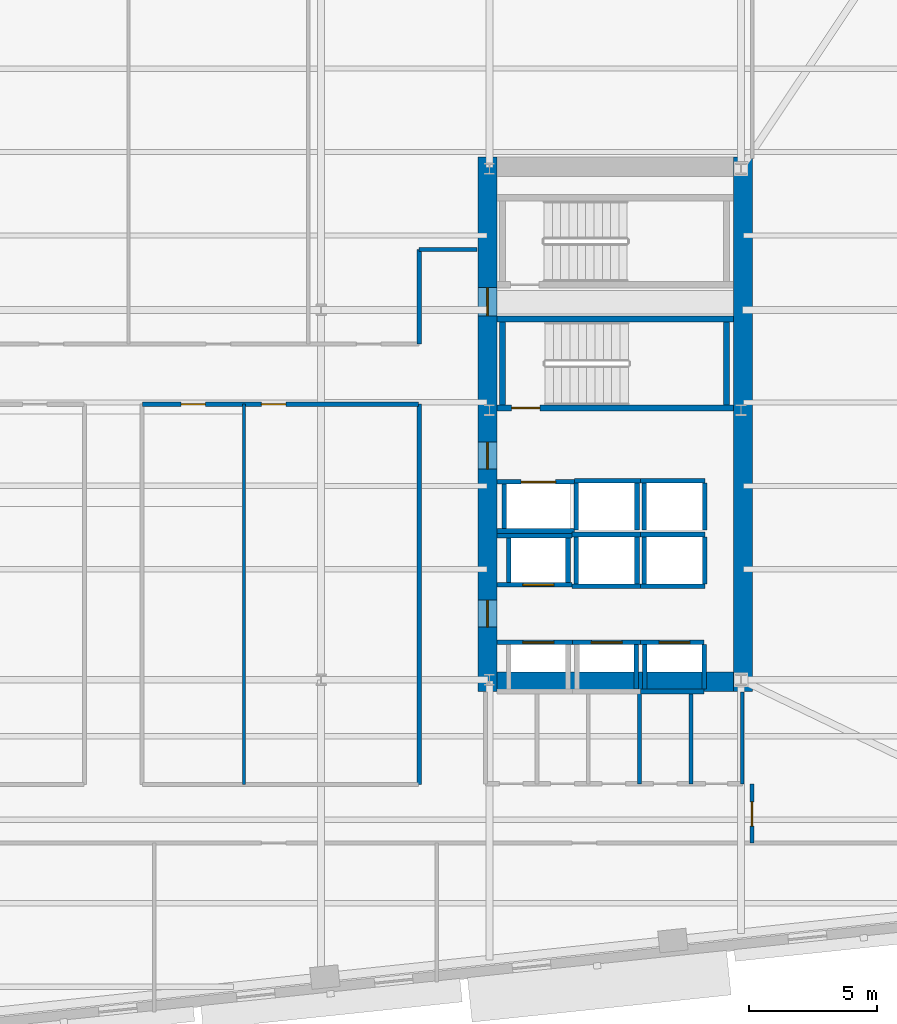
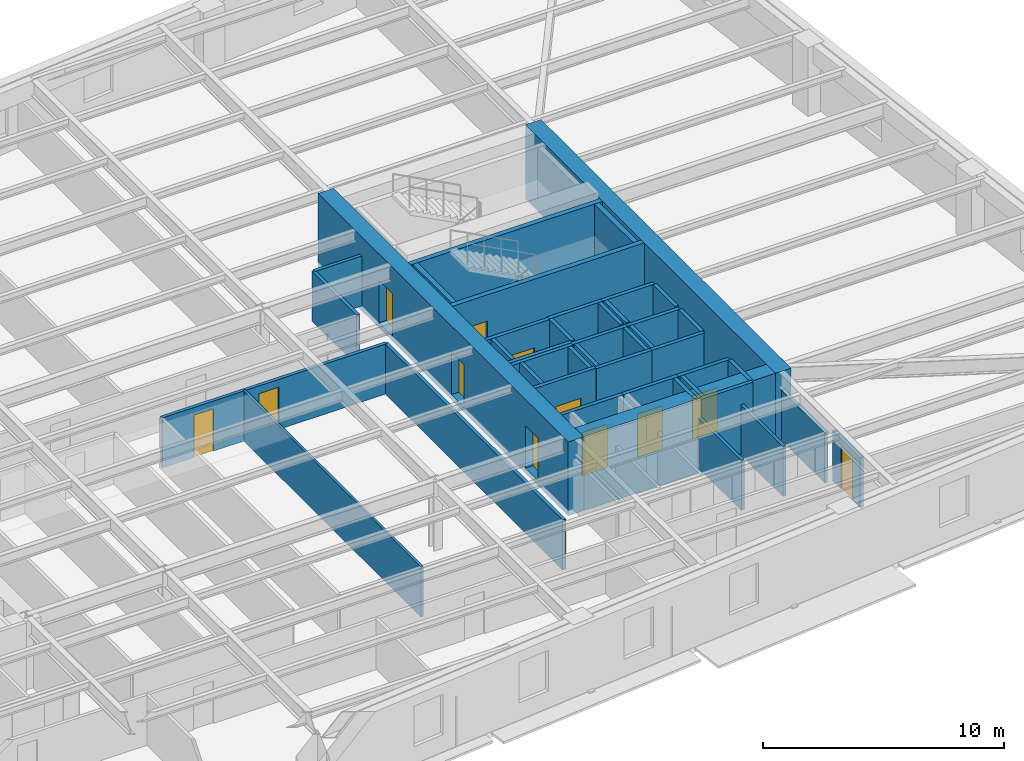
# One storey, part 6 of 13: 44 walls, 12 doors, 12 openings.
"""IFC4 building model written with IfcOpenShell, lengths in metres."""

from ifc_helpers import new_model, si_unit, direction, frame, frame_2d, origin, place, context, subcontext, project, spatial, rectangle, extrude, material, layer, layer_set, type_object, element, fill, save


model = new_model("IFC4")

# Units and contexts
model_context = context("Model", 3, precision=1e-05, world=origin(), true_north=direction((0.0, 1.0)))
body_context = subcontext(model_context, "Body", "Model", "MODEL_VIEW")
ifc_project = project(units=[si_unit("LENGTHUNIT", "METRE"), si_unit("AREAUNIT", "SQUARE_METRE"), si_unit("VOLUMEUNIT", "CUBIC_METRE"), si_unit("PLANEANGLEUNIT", "RADIAN"), si_unit("MASSUNIT", "GRAM", prefix="KILO")], contexts=[model_context])

# Site, building, storey
site_placement = place(None, origin())
site = spatial("IfcSite", under=ifc_project, at=site_placement, CompositionType="ELEMENT")
building_placement = place(site_placement, origin())
building = spatial("IfcBuilding", under=site, at=building_placement, Name="Kolvaren Arena Tower", CompositionType="ELEMENT")
storey_placement = place(building_placement, frame((0.0, 0.0, 114.699951171875)))
storey = spatial("IfcBuildingStorey", under=building, at=storey_placement, Name="L26", CompositionType="ELEMENT", Elevation=114.699951171875)

# Wall, openings, doors
ifc_material_1 = material(Name="Gypsum board acoustic assembly", Category="gypsum")
ifc_layer_1 = layer(ifc_material_1, 0.159912109375)
ifc_layer_set_1 = layer_set([ifc_layer_1], Name="Gypsum board acoustic assembly")
wall_type_1 = type_object("IfcWallType", Name="CORR-160", PredefinedType="PARTITIONING", material=ifc_layer_set_1)
wall_1_placement = place(storey_placement, frame((37.0400390625, 30.179931640625, 0.0), z_axis=(0.0, 0.0, 1.0), x_axis=(1.0, 0.0, 0.0)))
wall_1 = element("IfcWall", 1, at=wall_1_placement, inside=storey, type_object=wall_type_1, Name="Interior Partition Wall (L26)", PredefinedType="PARTITIONING", context=body_context, shape_type="SweptSolid", body=[
    extrude(rectangle(XDim=10.760009765625, YDim=0.159912109375, at=frame_2d((5.3798828125, 0.0))), origin(), (0.0, 0.0, 1.0), 2.5400390625),
])
opening_1_placement = place(wall_1_placement, frame((1.5048828125, 0.0, 0.0)))
opening_1 = element("IfcOpeningElement", 2, at=opening_1_placement, cuts=wall_1, Name="Opening D05", PredefinedType="OPENING", context=body_context, shape_type="SweptSolid", body=[
    extrude(rectangle(XDim=0.949951171875, YDim=2.14990234375, at=frame_2d((0.47509765625, 1.074951171875))), frame((0.0, 0.08984375, 0.0), z_axis=(0.0, -1.0, 0.0), x_axis=(1.0, 0.0, 0.0)), (0.0, 0.0, 1.0), 0.179931640625),
])
opening_2_placement = place(wall_1_placement, frame((4.635009765625, 0.0, 0.0)))
opening_2 = element("IfcOpeningElement", 3, at=opening_2_placement, cuts=wall_1, Name="Opening D05", PredefinedType="OPENING", context=body_context, shape_type="SweptSolid", body=[
    extrude(rectangle(XDim=0.949951171875, YDim=2.14990234375, at=frame_2d((0.47509765625, 1.074951171875))), frame((0.0, 0.08984375, 0.0), z_axis=(0.0, -1.0, 0.0), x_axis=(1.0, 0.0, 0.0)), (0.0, 0.0, 1.0), 0.179931640625),
])
ifc_material_2 = material(Name="Solid-core oak acoustic office door", Category="wood")
door_type_1 = type_object("IfcDoorType", Name="DOOR-OF-095", OperationType="NOTDEFINED", PredefinedType="DOOR", material=ifc_material_2)
door_1_placement = place(opening_1_placement, origin())
door_1 = element("IfcDoor", 4, at=door_1_placement, inside=storey, type_object=door_type_1, Name="Breakout Pantry and Kitchen Door (L26)", OperationType="SINGLE_SWING_RIGHT", OverallHeight=2.14990234375, OverallWidth=0.949951171875, PredefinedType="DOOR", context=body_context, shape_type="SweptSolid", body=[
    extrude(rectangle(XDim=0.949951171875, YDim=2.14990234375, at=frame_2d((0.47509765625, 1.074951171875))), frame((0.0, 0.02490234375, 0.0), z_axis=(0.0, -1.0, 0.0), x_axis=(1.0, 0.0, 0.0)), (0.0, 0.0, 1.0), 0.050048828125),
])
fill(opening_1, door_1)
door_2_placement = place(opening_2_placement, origin())
door_2 = element("IfcDoor", 5, at=door_2_placement, inside=storey, type_object=door_type_1, Name="Wellness Room Door (L26)", OperationType="SINGLE_SWING_LEFT", OverallHeight=2.14990234375, OverallWidth=0.949951171875, PredefinedType="DOOR", context=body_context, shape_type="SweptSolid", body=[
    extrude(rectangle(XDim=0.949951171875, YDim=2.14990234375, at=frame_2d((0.47509765625, 1.074951171875))), frame((0.0, 0.02490234375, 0.0), z_axis=(0.0, -1.0, 0.0), x_axis=(1.0, 0.0, 0.0)), (0.0, 0.0, 1.0), 0.050048828125),
])
fill(opening_2, door_2)

# Walls
wall_2_placement = place(storey_placement, frame((47.820068359375, 15.3798828125, 0.0), z_axis=(0.0, 0.0, 1.0), x_axis=(0.0, 1.0, 0.0)))
element("IfcWall", 6, at=wall_2_placement, inside=storey, type_object=wall_type_1, Name="Interior Partition Wall (L26)", PredefinedType="PARTITIONING", context=body_context, shape_type="SweptSolid", body=[
    extrude(rectangle(XDim=14.800048828125, YDim=0.159912109375, at=frame_2d((7.39990234375, 0.0))), origin(), (0.0, 0.0, 1.0), 2.5400390625),
])
wall_3_placement = place(storey_placement, frame((47.820068359375, 32.52001953125, 0.0), z_axis=(0.0, 0.0, 1.0), x_axis=(0.0, 1.0, 0.0)))
element("IfcWall", 7, at=wall_3_placement, inside=storey, type_object=wall_type_1, Name="Interior Partition Wall (L26)", PredefinedType="PARTITIONING", context=body_context, shape_type="SweptSolid", body=[
    extrude(rectangle(XDim=3.679931640625, YDim=0.159912109375, at=frame_2d((1.83984375, 0.0))), origin(), (0.0, 0.0, 1.0), 2.5400390625),
])
wall_4_placement = place(storey_placement, frame((47.820068359375, 36.199951171875, 0.0), z_axis=(0.0, 0.0, 1.0), x_axis=(1.0, 0.0, 0.0)))
element("IfcWall", 8, at=wall_4_placement, inside=storey, type_object=wall_type_1, Name="Interior Partition Wall (L26)", PredefinedType="PARTITIONING", context=body_context, shape_type="SweptSolid", body=[
    extrude(rectangle(XDim=2.260009765625, YDim=0.159912109375, at=frame_2d((1.1298828125, 0.0))), origin(), (0.0, 0.0, 1.0), 2.5400390625),
])

# Wall, opening, door
wall_5_placement = place(storey_placement, frame((60.780029296875, 13.10009765625, 0.0), z_axis=(0.0, 0.0, 1.0), x_axis=(0.0, 1.0, 0.0)))
wall_5 = element("IfcWall", 9, at=wall_5_placement, inside=storey, type_object=wall_type_1, Name="Interior Partition Wall (L26)", PredefinedType="PARTITIONING", context=body_context, shape_type="SweptSolid", body=[
    extrude(rectangle(XDim=2.2998046875, YDim=0.159912109375, at=frame_2d((1.14990234375, 0.0))), origin(), (0.0, 0.0, 1.0), 2.5400390625),
])
opening_3_placement = place(wall_5_placement, frame((0.64990234375, 0.0, 0.0)))
opening_3 = element("IfcOpeningElement", 10, at=opening_3_placement, cuts=wall_5, Name="Opening D05", PredefinedType="OPENING", context=body_context, shape_type="SweptSolid", body=[
    extrude(rectangle(XDim=0.949951171875, YDim=2.14990234375, at=frame_2d((0.47509765625, 1.074951171875))), frame((0.0, 0.08984375, 0.0), z_axis=(0.0, -1.0, 0.0), x_axis=(1.0, 0.0, 0.0)), (0.0, 0.0, 1.0), 0.179931640625),
])
door_3_placement = place(opening_3_placement, origin())
door_3 = element("IfcDoor", 11, at=door_3_placement, inside=storey, type_object=door_type_1, Name="East Wing Studio Door (L26)", OperationType="SINGLE_SWING_RIGHT", OverallHeight=2.14990234375, OverallWidth=0.949951171875, PredefinedType="DOOR", context=body_context, shape_type="SweptSolid", body=[
    extrude(rectangle(XDim=0.949951171875, YDim=2.14990234375, at=frame_2d((0.47509765625, 1.074951171875))), frame((0.0, 0.02490234375, 0.0), z_axis=(0.0, -1.0, 0.0), x_axis=(1.0, 0.0, 0.0)), (0.0, 0.0, 1.0), 0.050048828125),
])
fill(opening_3, door_3)

# Wall, openings, doors
ifc_material_3 = material(Name="Concrete 70 MPa", Category="concrete")
ifc_layer_2 = layer(ifc_material_3, 0.75)
ifc_layer_set_2 = layer_set([ifc_layer_2], Name="Concrete 70 MPa")
wall_type_2 = type_object("IfcWallType", Name="CWALL-750", PredefinedType="SHEAR", material=ifc_layer_set_2)
wall_6_placement = place(storey_placement, frame((50.47509765625, 19.0, -0.27001953125), z_axis=(0.0, 0.0, 1.0), x_axis=(0.0, 1.0, 0.0)))
wall_6 = element("IfcWall", 12, at=wall_6_placement, inside=storey, type_object=wall_type_2, Name="Core Shear Wall EC-WEST (L26)", PredefinedType="SHEAR", context=body_context, shape_type="SweptSolid", body=[
    extrude(rectangle(XDim=20.800048828125, YDim=0.75, at=frame_2d((10.39990234375, 0.0))), origin(), (0.0, 0.0, 1.0), 3.75),
])
opening_4_placement = place(wall_6_placement, frame((2.5, 0.0, 0.27001953125)))
opening_4 = element("IfcOpeningElement", 13, at=opening_4_placement, cuts=wall_6, Name="Opening D04", PredefinedType="OPENING", context=body_context, shape_type="SweptSolid", body=[
    extrude(rectangle(XDim=1.050048828125, YDim=2.14990234375, at=frame_2d((0.52490234375, 1.074951171875))), frame((0.0, 0.385009765625, 0.0), z_axis=(0.0, -1.0, 0.0), x_axis=(1.0, 0.0, 0.0)), (0.0, 0.0, 1.0), 0.77001953125),
])
opening_5_placement = place(wall_6_placement, frame((8.64990234375, 0.0, 0.27001953125)))
opening_5 = element("IfcOpeningElement", 14, at=opening_5_placement, cuts=wall_6, Name="Opening D04", PredefinedType="OPENING", context=body_context, shape_type="SweptSolid", body=[
    extrude(rectangle(XDim=1.050048828125, YDim=2.14990234375, at=frame_2d((0.52490234375, 1.074951171875))), frame((0.0, 0.385009765625, 0.0), z_axis=(0.0, -1.0, 0.0), x_axis=(1.0, 0.0, 0.0)), (0.0, 0.0, 1.0), 0.77001953125),
])
opening_6_placement = place(wall_6_placement, frame((14.6201171875, 0.0, 0.27001953125)))
opening_6 = element("IfcOpeningElement", 15, at=opening_6_placement, cuts=wall_6, Name="Opening D03", PredefinedType="OPENING", context=body_context, shape_type="SweptSolid", body=[
    extrude(rectangle(XDim=1.10009765625, YDim=2.14990234375, at=frame_2d((0.550048828125, 1.074951171875))), frame((0.0, 0.385009765625, 0.0), z_axis=(0.0, -1.0, 0.0), x_axis=(1.0, 0.0, 0.0)), (0.0, 0.0, 1.0), 0.77001953125),
])
ifc_material_4 = material(Name="Fire-rated steel lobby door", Category="steel")
door_type_2 = type_object("IfcDoorType", Name="DOOR-FF-105", OperationType="NOTDEFINED", PredefinedType="DOOR", material=ifc_material_4)
door_4_placement = place(opening_4_placement, origin())
door_4 = element("IfcDoor", 16, at=door_4_placement, inside=storey, type_object=door_type_2, Name="East Lift Lobby Fire Door (L26)", OperationType="SINGLE_SWING_RIGHT", OverallHeight=2.14990234375, OverallWidth=1.050048828125, PredefinedType="DOOR", context=body_context, shape_type="SweptSolid", body=[
    extrude(rectangle(XDim=1.050048828125, YDim=2.14990234375, at=frame_2d((0.52490234375, 1.074951171875))), frame((0.0, 0.02490234375, 0.0), z_axis=(0.0, -1.0, 0.0), x_axis=(1.0, 0.0, 0.0)), (0.0, 0.0, 1.0), 0.050048828125),
])
fill(opening_4, door_4)
door_5_placement = place(opening_5_placement, origin())
door_5 = element("IfcDoor", 17, at=door_5_placement, inside=storey, type_object=door_type_2, Name="East Firefighter Vestibule Door (L26)", OperationType="SINGLE_SWING_LEFT", OverallHeight=2.14990234375, OverallWidth=1.050048828125, PredefinedType="DOOR", context=body_context, shape_type="SweptSolid", body=[
    extrude(rectangle(XDim=1.050048828125, YDim=2.14990234375, at=frame_2d((0.52490234375, 1.074951171875))), frame((0.0, 0.02490234375, 0.0), z_axis=(0.0, -1.0, 0.0), x_axis=(1.0, 0.0, 0.0)), (0.0, 0.0, 1.0), 0.050048828125),
])
fill(opening_5, door_5)
ifc_material_5 = material(Name="Fire-rated steel exit stair door", Category="steel")
door_type_3 = type_object("IfcDoorType", Name="DOOR-ST-110", OperationType="NOTDEFINED", PredefinedType="DOOR", material=ifc_material_5)
door_6_placement = place(opening_6_placement, origin())
door_6 = element("IfcDoor", 18, at=door_6_placement, inside=storey, type_object=door_type_3, Name="Stair ST-E2 Vestibule Fire Door (L26)", OperationType="SINGLE_SWING_LEFT", OverallHeight=2.14990234375, OverallWidth=1.10009765625, PredefinedType="DOOR", context=body_context, shape_type="SweptSolid", body=[
    extrude(rectangle(XDim=1.10009765625, YDim=2.14990234375, at=frame_2d((0.550048828125, 1.074951171875))), frame((0.0, 0.02490234375, 0.0), z_axis=(0.0, -1.0, 0.0), x_axis=(1.0, 0.0, 0.0)), (0.0, 0.0, 1.0), 0.050048828125),
])
fill(opening_6, door_6)

# Walls
wall_7_placement = place(storey_placement, frame((60.425048828125, 19.0, -0.27001953125), z_axis=(0.0, 0.0, 1.0), x_axis=(0.0, 1.0, 0.0)))
element("IfcWall", 19, at=wall_7_placement, inside=storey, type_object=wall_type_2, Name="Core Shear Wall EC-EAST (L26)", PredefinedType="SHEAR", context=body_context, shape_type="SweptSolid", body=[
    extrude(rectangle(XDim=20.800048828125, YDim=0.75, at=frame_2d((10.39990234375, 0.0))), origin(), (0.0, 0.0, 1.0), 3.75),
])
wall_8_placement = place(storey_placement, frame((50.85009765625, 19.375, -0.27001953125), z_axis=(0.0, 0.0, 1.0), x_axis=(1.0, 0.0, 0.0)))
element("IfcWall", 20, at=wall_8_placement, inside=storey, type_object=wall_type_2, Name="Core Shear Wall EC-SOUTH (L26)", PredefinedType="SHEAR", context=body_context, shape_type="SweptSolid", body=[
    extrude(rectangle(XDim=9.199951171875, YDim=0.75, at=frame_2d((4.60009765625, 0.0))), origin(), (0.0, 0.0, 1.0), 3.75),
])
ifc_material_6 = material(Name="Gypsum board partition assembly", Category="gypsum")
ifc_layer_3 = layer(ifc_material_6, 0.114990234375)
ifc_layer_set_3 = layer_set([ifc_layer_3], Name="Gypsum board partition assembly")
wall_type_3 = type_object("IfcWallType", Name="PART-115", PredefinedType="PARTITIONING", material=ifc_layer_set_3)
wall_9_placement = place(storey_placement, frame((41.0, 15.3798828125, 0.0), z_axis=(0.0, 0.0, 1.0), x_axis=(0.0, 1.0, 0.0)))
element("IfcWall", 21, at=wall_9_placement, inside=storey, type_object=wall_type_3, Name="Interior Partition Wall (L26)", PredefinedType="PARTITIONING", context=body_context, shape_type="SweptSolid", body=[
    extrude(rectangle(XDim=14.800048828125, YDim=0.114990234375, at=frame_2d((7.39990234375, 0.0))), origin(), (0.0, 0.0, 1.0), 2.5400390625),
])

# Wall, opening, door
ifc_material_7 = material(Name="Concrete 45 MPa", Category="concrete")
ifc_layer_4 = layer(ifc_material_7, 0.25)
ifc_layer_set_4 = layer_set([ifc_layer_4], Name="Concrete 45 MPa")
wall_type_4 = type_object("IfcWallType", Name="SHAFT-250", PredefinedType="SOLIDWALL", material=ifc_layer_set_4)
wall_10_placement = place(storey_placement, frame((60.050048828125, 30.030029296875, 0.0), z_axis=(0.0, 0.0, 1.0), x_axis=(-1.0, 0.0, 0.0)))
wall_10 = element("IfcWall", 22, at=wall_10_placement, inside=storey, type_object=wall_type_4, Name="Core Shaft Wall (L26)", PredefinedType="SOLIDWALL", context=body_context, shape_type="SweptSolid", body=[
    extrude(rectangle(XDim=9.199951171875, YDim=0.239990234375, at=frame_2d((4.60009765625, 0.0))), origin(), (0.0, 0.0, 1.0), 3.47998046875),
])
opening_7_placement = place(wall_10_placement, frame((7.530029296875, 0.0, 0.0)))
opening_7 = element("IfcOpeningElement", 23, at=opening_7_placement, cuts=wall_10, Name="Opening D03", PredefinedType="OPENING", context=body_context, shape_type="SweptSolid", body=[
    extrude(rectangle(XDim=1.10009765625, YDim=2.14990234375, at=frame_2d((0.550048828125, 1.074951171875))), frame((0.0, 0.1298828125, 0.0), z_axis=(0.0, -1.0, 0.0), x_axis=(1.0, 0.0, 0.0)), (0.0, 0.0, 1.0), 0.260009765625),
])
door_7_placement = place(opening_7_placement, origin())
door_7 = element("IfcDoor", 24, at=door_7_placement, inside=storey, type_object=door_type_3, Name="Stair ST-E1 Fire Door (L26)", OperationType="SINGLE_SWING_LEFT", OverallHeight=2.14990234375, OverallWidth=1.10009765625, PredefinedType="DOOR", context=body_context, shape_type="SweptSolid", body=[
    extrude(rectangle(XDim=1.10009765625, YDim=2.14990234375, at=frame_2d((0.550048828125, 1.074951171875))), frame((0.0, 0.02490234375, 0.0), z_axis=(0.0, -1.0, 0.0), x_axis=(1.0, 0.0, 0.0)), (0.0, 0.0, 1.0), 0.050048828125),
])
fill(opening_7, door_7)

# Walls
wall_11_placement = place(storey_placement, frame((50.85009765625, 33.5, 0.0), z_axis=(0.0, 0.0, 1.0), x_axis=(1.0, 0.0, 0.0)))
element("IfcWall", 25, at=wall_11_placement, inside=storey, type_object=wall_type_4, Name="Core Shaft Wall (L26)", PredefinedType="SOLIDWALL", context=body_context, shape_type="SweptSolid", body=[
    extrude(rectangle(XDim=9.199951171875, YDim=0.239990234375, at=frame_2d((4.60009765625, 0.0))), origin(), (0.0, 0.0, 1.0), 3.47998046875),
])
for number, where, z_axis, x_axis, name in (
    (26, (51.06005859375, 30.14990234375, 0.0), (0.0, 0.0, 1.0), (0.0, 1.0, 0.0), "Core Shaft Wall (L26)"),
    (27, (59.780029296875, 30.14990234375, 0.0), (0.0, 0.0, 1.0), (0.0, 1.0, 0.0), "Core Shaft Wall (L26)"),
):
    element("IfcWall", number, at=place(storey_placement, frame(where, z_axis=z_axis, x_axis=x_axis)), inside=storey, type_object=wall_type_4, Name=name, PredefinedType="SOLIDWALL", context=body_context, shape_type="SweptSolid", body=[
        extrude(rectangle(XDim=3.22998046875, YDim=0.239990234375, at=frame_2d((1.614990234375, 0.0))), origin(), (0.0, 0.0, 1.0), 3.47998046875),
    ])

# Wall, opening, door
wall_12_placement = place(storey_placement, frame((50.85009765625, 20.905029296875, 0.0), z_axis=(0.0, 0.0, 1.0), x_axis=(1.0, 0.0, 0.0)))
wall_12 = element("IfcWall", 28, at=wall_12_placement, inside=storey, type_object=wall_type_4, Name="Core Shaft Wall (L26)", PredefinedType="SOLIDWALL", context=body_context, shape_type="SweptSolid", body=[
    extrude(rectangle(XDim=2.93994140625, YDim=0.179931640625, at=frame_2d((1.469970703125, 0.0))), origin(), (0.0, 0.0, 1.0), 3.47998046875),
])
opening_8_placement = place(wall_12_placement, frame((1.010009765625, 0.0, 0.0)))
opening_8 = element("IfcOpeningElement", 29, at=opening_8_placement, cuts=wall_12, Name="Opening LD1", PredefinedType="OPENING", context=body_context, shape_type="SweptSolid", body=[
    extrude(rectangle(XDim=1.199951171875, YDim=2.199951171875, at=frame_2d((0.60009765625, 1.10009765625))), frame((0.0, 0.099853515625, 0.0), z_axis=(0.0, -1.0, 0.0), x_axis=(1.0, 0.0, 0.0)), (0.0, 0.0, 1.0), 0.199951171875),
])
ifc_material_8 = material(Name="Stainless steel passenger lift landing door", Category="steel")
door_type_4 = type_object("IfcDoorType", Name="DOOR-LD-120", OperationType="DOUBLE_DOOR_SLIDING", PredefinedType="DOOR", material=ifc_material_8)
door_8_placement = place(opening_8_placement, origin())
door_8 = element("IfcDoor", 30, at=door_8_placement, inside=storey, type_object=door_type_4, Name="Lift EL-LR1 Landing Door (L26)", OperationType="DOUBLE_DOOR_SLIDING", OverallHeight=2.199951171875, OverallWidth=1.199951171875, PredefinedType="DOOR", context=body_context, shape_type="SweptSolid", body=[
    extrude(rectangle(XDim=1.199951171875, YDim=2.199951171875, at=frame_2d((0.60009765625, 1.10009765625))), frame((0.0, 0.02490234375, 0.0), z_axis=(0.0, -1.0, 0.0), x_axis=(1.0, 0.0, 0.0)), (0.0, 0.0, 1.0), 0.050048828125),
])
fill(opening_8, door_8)

wall_13_placement = place(storey_placement, frame((53.7900390625, 20.905029296875, 0.0), z_axis=(0.0, 0.0, 1.0), x_axis=(1.0, 0.0, 0.0)))
wall_13 = element("IfcWall", 31, at=wall_13_placement, inside=storey, type_object=wall_type_4, Name="Core Shaft Wall (L26)", PredefinedType="SOLIDWALL", context=body_context, shape_type="SweptSolid", body=[
    extrude(rectangle(XDim=2.64990234375, YDim=0.179931640625, at=frame_2d((1.324951171875, 0.0))), origin(), (0.0, 0.0, 1.0), 3.47998046875),
])
opening_9_placement = place(wall_13_placement, frame((0.72998046875, 0.0, 0.0)))
opening_9 = element("IfcOpeningElement", 32, at=opening_9_placement, cuts=wall_13, Name="Opening LD1", PredefinedType="OPENING", context=body_context, shape_type="SweptSolid", body=[
    extrude(rectangle(XDim=1.199951171875, YDim=2.199951171875, at=frame_2d((0.60009765625, 1.10009765625))), frame((0.0, 0.099853515625, 0.0), z_axis=(0.0, -1.0, 0.0), x_axis=(1.0, 0.0, 0.0)), (0.0, 0.0, 1.0), 0.199951171875),
])
door_9_placement = place(opening_9_placement, origin())
door_9 = element("IfcDoor", 33, at=door_9_placement, inside=storey, type_object=door_type_4, Name="Lift EL-LR2 Landing Door (L26)", OperationType="DOUBLE_DOOR_SLIDING", OverallHeight=2.199951171875, OverallWidth=1.199951171875, PredefinedType="DOOR", context=body_context, shape_type="SweptSolid", body=[
    extrude(rectangle(XDim=1.199951171875, YDim=2.199951171875, at=frame_2d((0.60009765625, 1.10009765625))), frame((0.0, 0.02490234375, 0.0), z_axis=(0.0, -1.0, 0.0), x_axis=(1.0, 0.0, 0.0)), (0.0, 0.0, 1.0), 0.050048828125),
])
fill(opening_9, door_9)

# Wall
wall_14_placement = place(storey_placement, frame((56.27490234375, 19.0849609375, 0.0), z_axis=(0.0, 0.0, 1.0), x_axis=(0.0, 1.0, 0.0)))
element("IfcWall", 34, at=wall_14_placement, inside=storey, type_object=wall_type_4, Name="Core Shaft Wall (L26)", PredefinedType="SOLIDWALL", context=body_context, shape_type="SweptSolid", body=[
    extrude(rectangle(XDim=1.72998046875, YDim=0.179931640625, at=frame_2d((0.864990234375, 0.0))), origin(), (0.0, 0.0, 1.0), 3.47998046875),
])

# Wall, opening, door
wall_15_placement = place(storey_placement, frame((56.43994140625, 20.905029296875, 0.0), z_axis=(0.0, 0.0, 1.0), x_axis=(1.0, 0.0, 0.0)))
wall_15 = element("IfcWall", 35, at=wall_15_placement, inside=storey, type_object=wall_type_4, Name="Core Shaft Wall (L26)", PredefinedType="SOLIDWALL", context=body_context, shape_type="SweptSolid", body=[
    extrude(rectangle(XDim=2.47509765625, YDim=0.179931640625, at=frame_2d((1.237548828125, 0.0))), origin(), (0.0, 0.0, 1.0), 3.47998046875),
])
opening_10_placement = place(wall_15_placement, frame((0.719970703125, 0.0, 0.0)))
opening_10 = element("IfcOpeningElement", 36, at=opening_10_placement, cuts=wall_15, Name="Opening LD1", PredefinedType="OPENING", context=body_context, shape_type="SweptSolid", body=[
    extrude(rectangle(XDim=1.199951171875, YDim=2.199951171875, at=frame_2d((0.60009765625, 1.10009765625))), frame((0.0, 0.099853515625, 0.0), z_axis=(0.0, -1.0, 0.0), x_axis=(1.0, 0.0, 0.0)), (0.0, 0.0, 1.0), 0.199951171875),
])
door_10_placement = place(opening_10_placement, origin())
door_10 = element("IfcDoor", 37, at=door_10_placement, inside=storey, type_object=door_type_4, Name="Lift EL-LR3 Landing Door (L26)", OperationType="DOUBLE_DOOR_SLIDING", OverallHeight=2.199951171875, OverallWidth=1.199951171875, PredefinedType="DOOR", context=body_context, shape_type="SweptSolid", body=[
    extrude(rectangle(XDim=1.199951171875, YDim=2.199951171875, at=frame_2d((0.60009765625, 1.10009765625))), frame((0.0, 0.02490234375, 0.0), z_axis=(0.0, -1.0, 0.0), x_axis=(1.0, 0.0, 0.0)), (0.0, 0.0, 1.0), 0.050048828125),
])
fill(opening_10, door_10)

# Walls
wall_16_placement = place(storey_placement, frame((56.43994140625, 18.9951171875, 0.0), z_axis=(0.0, 0.0, 1.0), x_axis=(1.0, 0.0, 0.0)))
element("IfcWall", 38, at=wall_16_placement, inside=storey, type_object=wall_type_4, Name="Core Shaft Wall (L26)", PredefinedType="SOLIDWALL", context=body_context, shape_type="SweptSolid", body=[
    extrude(rectangle(XDim=2.47509765625, YDim=0.179931640625, at=frame_2d((1.237548828125, 0.0))), origin(), (0.0, 0.0, 1.0), 3.47998046875),
])
for number, where, z_axis, x_axis, name in (
    (39, (56.60498046875, 19.0849609375, 0.0), (0.0, 0.0, 1.0), (0.0, 1.0, 0.0), "Core Shaft Wall (L26)"),
    (40, (58.9150390625, 19.0849609375, 0.0), (0.0, 0.0, 1.0), (0.0, 1.0, 0.0), "Core Shaft Wall (L26)"),
):
    element("IfcWall", number, at=place(storey_placement, frame(where, z_axis=z_axis, x_axis=x_axis)), inside=storey, type_object=wall_type_4, Name=name, PredefinedType="SOLIDWALL", context=body_context, shape_type="SweptSolid", body=[
        extrude(rectangle(XDim=1.72998046875, YDim=0.179931640625, at=frame_2d((0.864990234375, 0.0))), origin(), (0.0, 0.0, 1.0), 3.47998046875),
    ])
wall_17_placement = place(storey_placement, frame((50.85009765625, 25.054931640625, 0.0), z_axis=(0.0, 0.0, 1.0), x_axis=(1.0, 0.0, 0.0)))
element("IfcWall", 41, at=wall_17_placement, inside=storey, type_object=wall_type_4, Name="Core Shaft Wall (L26)", PredefinedType="SOLIDWALL", context=body_context, shape_type="SweptSolid", body=[
    extrude(rectangle(XDim=2.927490234375, YDim=0.179931640625, at=frame_2d((1.4638671875, 0.0))), origin(), (0.0, 0.0, 1.0), 3.47998046875),
])

# Wall, opening, door
wall_18_placement = place(storey_placement, frame((50.85009765625, 23.14501953125, 0.0), z_axis=(0.0, 0.0, 1.0), x_axis=(1.0, 0.0, 0.0)))
wall_18 = element("IfcWall", 42, at=wall_18_placement, inside=storey, type_object=wall_type_4, Name="Core Shaft Wall (L26)", PredefinedType="SOLIDWALL", context=body_context, shape_type="SweptSolid", body=[
    extrude(rectangle(XDim=2.927490234375, YDim=0.179931640625, at=frame_2d((1.4638671875, 0.0))), origin(), (0.0, 0.0, 1.0), 3.47998046875),
])
opening_11_placement = place(wall_18_placement, frame((1.010009765625, 0.0, 0.0)))
opening_11 = element("IfcOpeningElement", 43, at=opening_11_placement, cuts=wall_18, Name="Opening LD1", PredefinedType="OPENING", context=body_context, shape_type="SweptSolid", body=[
    extrude(rectangle(XDim=1.199951171875, YDim=2.199951171875, at=frame_2d((0.60009765625, 1.10009765625))), frame((0.0, 0.099853515625, 0.0), z_axis=(0.0, -1.0, 0.0), x_axis=(1.0, 0.0, 0.0)), (0.0, 0.0, 1.0), 0.199951171875),
])
door_11_placement = place(opening_11_placement, origin())
door_11 = element("IfcDoor", 44, at=door_11_placement, inside=storey, type_object=door_type_4, Name="Lift EL-LR4 Landing Door (L26)", OperationType="DOUBLE_DOOR_SLIDING", OverallHeight=2.199951171875, OverallWidth=1.199951171875, PredefinedType="DOOR", context=body_context, shape_type="SweptSolid", body=[
    extrude(rectangle(XDim=1.199951171875, YDim=2.199951171875, at=frame_2d((0.60009765625, 1.10009765625))), frame((0.0, 0.02490234375, 0.0), z_axis=(0.0, -1.0, 0.0), x_axis=(1.0, 0.0, 0.0)), (0.0, 0.0, 1.0), 0.050048828125),
])
fill(opening_11, door_11)

# Walls
for number, where, z_axis, x_axis, name in (
    (45, (51.304931640625, 23.235107421875, 0.0), (0.0, 0.0, 1.0), (0.0, 1.0, 0.0), "Core Shaft Wall (L26)"),
    (46, (53.614990234375, 23.235107421875, 0.0), (0.0, 0.0, 1.0), (0.0, 1.0, 0.0), "Core Shaft Wall (L26)"),
):
    element("IfcWall", number, at=place(storey_placement, frame(where, z_axis=z_axis, x_axis=x_axis)), inside=storey, type_object=wall_type_4, Name=name, PredefinedType="SOLIDWALL", context=body_context, shape_type="SweptSolid", body=[
        extrude(rectangle(XDim=1.72998046875, YDim=0.179931640625, at=frame_2d((0.864990234375, 0.0))), origin(), (0.0, 0.0, 1.0), 3.47998046875),
    ])
for number, where, z_axis, x_axis, name in (
    (47, (53.777587890625, 25.10498046875, 0.0), (0.0, 0.0, 1.0), (1.0, 0.0, 0.0), "Core Shaft Wall (L26)"),
    (48, (53.777587890625, 23.094970703125, 0.0), (0.0, 0.0, 1.0), (1.0, 0.0, 0.0), "Core Shaft Wall (L26)"),
):
    element("IfcWall", number, at=place(storey_placement, frame(where, z_axis=z_axis, x_axis=x_axis)), inside=storey, type_object=wall_type_4, Name=name, PredefinedType="SOLIDWALL", context=body_context, shape_type="SweptSolid", body=[
        extrude(rectangle(XDim=2.662353515625, YDim=0.179931640625, at=frame_2d((1.3310546875, 0.0))), origin(), (0.0, 0.0, 1.0), 3.47998046875),
    ])
for number, where, z_axis, x_axis, name in (
    (49, (53.93994140625, 23.18505859375, 0.0), (0.0, 0.0, 1.0), (0.0, 1.0, 0.0), "Core Shaft Wall (L26)"),
    (50, (56.300048828125, 23.18505859375, 0.0), (0.0, 0.0, 1.0), (0.0, 1.0, 0.0), "Core Shaft Wall (L26)"),
):
    element("IfcWall", number, at=place(storey_placement, frame(where, z_axis=z_axis, x_axis=x_axis)), inside=storey, type_object=wall_type_4, Name=name, PredefinedType="SOLIDWALL", context=body_context, shape_type="SweptSolid", body=[
        extrude(rectangle(XDim=1.829833984375, YDim=0.179931640625, at=frame_2d((0.9150390625, 0.0))), origin(), (0.0, 0.0, 1.0), 3.47998046875),
    ])
for number, where, z_axis, x_axis, name in (
    (51, (56.43994140625, 25.10498046875, 0.0), (0.0, 0.0, 1.0), (1.0, 0.0, 0.0), "Core Shaft Wall (L26)"),
    (52, (56.43994140625, 23.094970703125, 0.0), (0.0, 0.0, 1.0), (1.0, 0.0, 0.0), "Core Shaft Wall (L26)"),
):
    element("IfcWall", number, at=place(storey_placement, frame(where, z_axis=z_axis, x_axis=x_axis)), inside=storey, type_object=wall_type_4, Name=name, PredefinedType="SOLIDWALL", context=body_context, shape_type="SweptSolid", body=[
        extrude(rectangle(XDim=2.5, YDim=0.179931640625, at=frame_2d((1.25, 0.0))), origin(), (0.0, 0.0, 1.0), 3.47998046875),
    ])
for number, where, z_axis, x_axis, name in (
    (53, (56.580078125, 23.18505859375, 0.0), (0.0, 0.0, 1.0), (0.0, 1.0, 0.0), "Core Shaft Wall (L26)"),
    (54, (58.93994140625, 23.18505859375, 0.0), (0.0, 0.0, 1.0), (0.0, 1.0, 0.0), "Core Shaft Wall (L26)"),
):
    element("IfcWall", number, at=place(storey_placement, frame(where, z_axis=z_axis, x_axis=x_axis)), inside=storey, type_object=wall_type_4, Name=name, PredefinedType="SOLIDWALL", context=body_context, shape_type="SweptSolid", body=[
        extrude(rectangle(XDim=1.829833984375, YDim=0.179931640625, at=frame_2d((0.9150390625, 0.0))), origin(), (0.0, 0.0, 1.0), 3.47998046875),
    ])
wall_19_placement = place(storey_placement, frame((53.864990234375, 27.205078125, 0.0), z_axis=(0.0, 0.0, 1.0), x_axis=(1.0, 0.0, 0.0)))
element("IfcWall", 55, at=wall_19_placement, inside=storey, type_object=wall_type_4, Name="Core Shaft Wall (L26)", PredefinedType="SOLIDWALL", context=body_context, shape_type="SweptSolid", body=[
    extrude(rectangle(XDim=2.574951171875, YDim=0.179931640625, at=frame_2d((1.28759765625, 0.0))), origin(), (0.0, 0.0, 1.0), 3.47998046875),
])
for number, where, z_axis, x_axis, name in (
    (56, (53.93994140625, 25.284912109375, 0.0), (0.0, 0.0, 1.0), (0.0, 1.0, 0.0), "Core Shaft Wall (L26)"),
    (57, (56.300048828125, 25.284912109375, 0.0), (0.0, 0.0, 1.0), (0.0, 1.0, 0.0), "Core Shaft Wall (L26)"),
):
    element("IfcWall", number, at=place(storey_placement, frame(where, z_axis=z_axis, x_axis=x_axis)), inside=storey, type_object=wall_type_4, Name=name, PredefinedType="SOLIDWALL", context=body_context, shape_type="SweptSolid", body=[
        extrude(rectangle(XDim=1.830078125, YDim=0.179931640625, at=frame_2d((0.9150390625, 0.0))), origin(), (0.0, 0.0, 1.0), 3.47998046875),
    ])
wall_20_placement = place(storey_placement, frame((56.43994140625, 27.205078125, 0.0), z_axis=(0.0, 0.0, 1.0), x_axis=(1.0, 0.0, 0.0)))
element("IfcWall", 58, at=wall_20_placement, inside=storey, type_object=wall_type_4, Name="Core Shaft Wall (L26)", PredefinedType="SOLIDWALL", context=body_context, shape_type="SweptSolid", body=[
    extrude(rectangle(XDim=2.5, YDim=0.179931640625, at=frame_2d((1.25, 0.0))), origin(), (0.0, 0.0, 1.0), 3.47998046875),
])
for number, where, z_axis, x_axis, name in (
    (59, (56.580078125, 25.284912109375, 0.0), (0.0, 0.0, 1.0), (0.0, 1.0, 0.0), "Core Shaft Wall (L26)"),
    (60, (58.93994140625, 25.284912109375, 0.0), (0.0, 0.0, 1.0), (0.0, 1.0, 0.0), "Core Shaft Wall (L26)"),
):
    element("IfcWall", number, at=place(storey_placement, frame(where, z_axis=z_axis, x_axis=x_axis)), inside=storey, type_object=wall_type_4, Name=name, PredefinedType="SOLIDWALL", context=body_context, shape_type="SweptSolid", body=[
        extrude(rectangle(XDim=1.830078125, YDim=0.179931640625, at=frame_2d((0.9150390625, 0.0))), origin(), (0.0, 0.0, 1.0), 3.47998046875),
    ])

# Wall, opening, door
wall_21_placement = place(storey_placement, frame((50.85009765625, 27.155029296875, 0.0), z_axis=(0.0, 0.0, 1.0), x_axis=(1.0, 0.0, 0.0)))
wall_21 = element("IfcWall", 61, at=wall_21_placement, inside=storey, type_object=wall_type_4, Name="Core Shaft Wall (L26)", PredefinedType="SOLIDWALL", context=body_context, shape_type="SweptSolid", body=[
    extrude(rectangle(XDim=3.014892578125, YDim=0.179931640625, at=frame_2d((1.50732421875, 0.0))), origin(), (0.0, 0.0, 1.0), 3.47998046875),
])
opening_12_placement = place(wall_21_placement, frame((0.93505859375, 0.0, 0.0)))
opening_12 = element("IfcOpeningElement", 62, at=opening_12_placement, cuts=wall_21, Name="Opening LD2", PredefinedType="OPENING", context=body_context, shape_type="SweptSolid", body=[
    extrude(rectangle(XDim=1.35009765625, YDim=2.300048828125, at=frame_2d((0.675048828125, 1.14990234375))), frame((0.0, 0.099853515625, 0.0), z_axis=(0.0, -1.0, 0.0), x_axis=(1.0, 0.0, 0.0)), (0.0, 0.0, 1.0), 0.199951171875),
])
ifc_material_9 = material(Name="Stainless steel firefighter lift landing door", Category="steel")
door_type_5 = type_object("IfcDoorType", Name="DOOR-LD-135", OperationType="DOUBLE_DOOR_SLIDING", PredefinedType="DOOR", material=ifc_material_9)
door_12_placement = place(opening_12_placement, origin())
door_12 = element("IfcDoor", 63, at=door_12_placement, inside=storey, type_object=door_type_5, Name="Firefighter Lift FF-E1 Landing Door (L26)", OperationType="DOUBLE_DOOR_SLIDING", OverallHeight=2.300048828125, OverallWidth=1.35009765625, PredefinedType="DOOR", context=body_context, shape_type="SweptSolid", body=[
    extrude(rectangle(XDim=1.35009765625, YDim=2.300048828125, at=frame_2d((0.675048828125, 1.14990234375))), frame((0.0, 0.02490234375, 0.0), z_axis=(0.0, -1.0, 0.0), x_axis=(1.0, 0.0, 0.0)), (0.0, 0.0, 1.0), 0.050048828125),
])
fill(opening_12, door_12)

# Walls
wall_22_placement = place(storey_placement, frame((50.85009765625, 25.2451171875, 0.0), z_axis=(0.0, 0.0, 1.0), x_axis=(1.0, 0.0, 0.0)))
element("IfcWall", 64, at=wall_22_placement, inside=storey, type_object=wall_type_4, Name="Core Shaft Wall (L26)", PredefinedType="SOLIDWALL", context=body_context, shape_type="SweptSolid", body=[
    extrude(rectangle(XDim=3.014892578125, YDim=0.179931640625, at=frame_2d((1.50732421875, 0.0))), origin(), (0.0, 0.0, 1.0), 3.47998046875),
])
wall_23_placement = place(storey_placement, frame((51.1298828125, 25.3349609375, 0.0), z_axis=(0.0, 0.0, 1.0), x_axis=(0.0, 1.0, 0.0)))
element("IfcWall", 65, at=wall_23_placement, inside=storey, type_object=wall_type_4, Name="Core Shaft Wall (L26)", PredefinedType="SOLIDWALL", context=body_context, shape_type="SweptSolid", body=[
    extrude(rectangle(XDim=1.72998046875, YDim=0.179931640625, at=frame_2d((0.864990234375, 0.0))), origin(), (0.0, 0.0, 1.0), 3.47998046875),
])
ifc_material_10 = material(Name="Moisture-resistant gypsum assembly", Category="gypsum")
ifc_layer_5 = layer(ifc_material_10, 0.14990234375)
ifc_layer_set_5 = layer_set([ifc_layer_5], Name="Moisture-resistant gypsum assembly")
wall_type_5 = type_object("IfcWallType", Name="WETW-150", PredefinedType="PARTITIONING", material=ifc_layer_set_5)
for number, where, z_axis, x_axis, name in (
    (66, (56.39990234375, 15.39990234375, 0.0), (0.0, 0.0, 1.0), (0.0, 1.0, 0.0), "Interior Partition Wall (L26)"),
    (67, (58.39990234375, 15.39990234375, 0.0), (0.0, 0.0, 1.0), (0.0, 1.0, 0.0), "Interior Partition Wall (L26)"),
    (68, (60.39990234375, 15.39990234375, 0.0), (0.0, 0.0, 1.0), (0.0, 1.0, 0.0), "Interior Partition Wall (L26)"),
):
    element("IfcWall", number, at=place(storey_placement, frame(where, z_axis=z_axis, x_axis=x_axis)), inside=storey, type_object=wall_type_5, Name=name, PredefinedType="PARTITIONING", context=body_context, shape_type="SweptSolid", body=[
        extrude(rectangle(XDim=3.580078125, YDim=0.14990234375, at=frame_2d((1.7900390625, 0.0))), origin(), (0.0, 0.0, 1.0), 2.5400390625),
    ])

save(model, "model.ifc")
